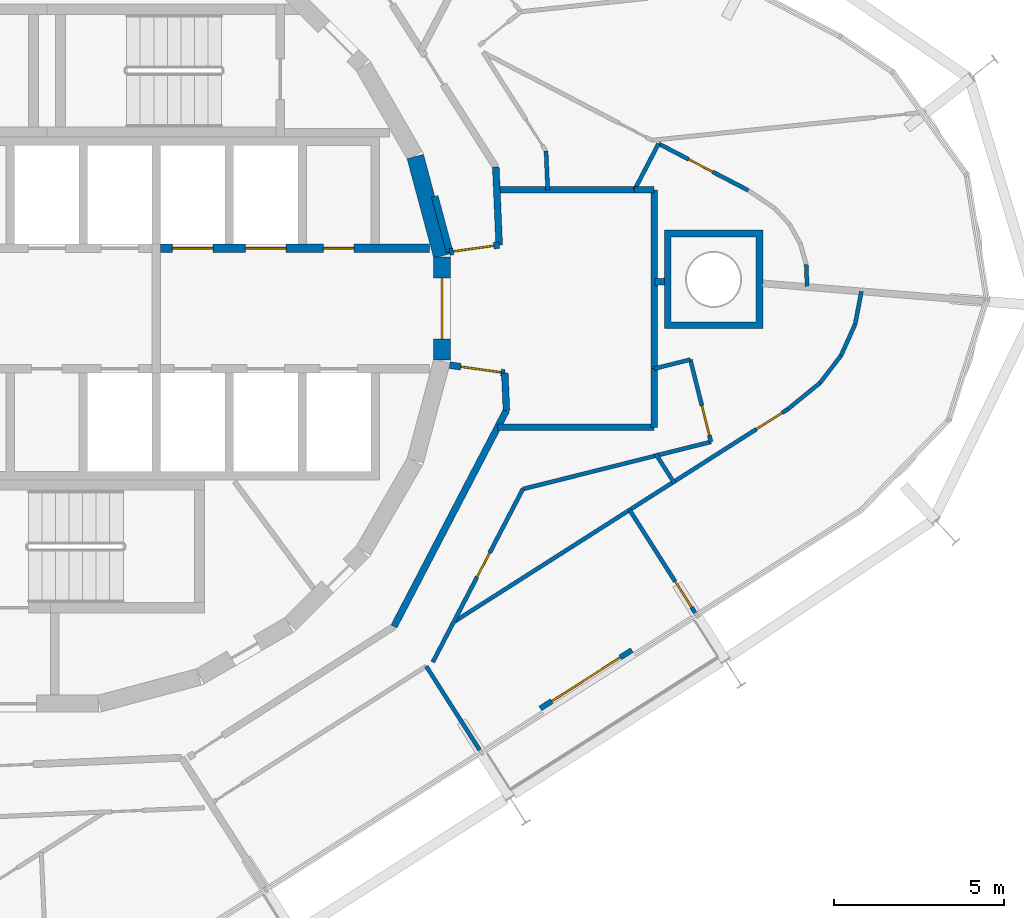
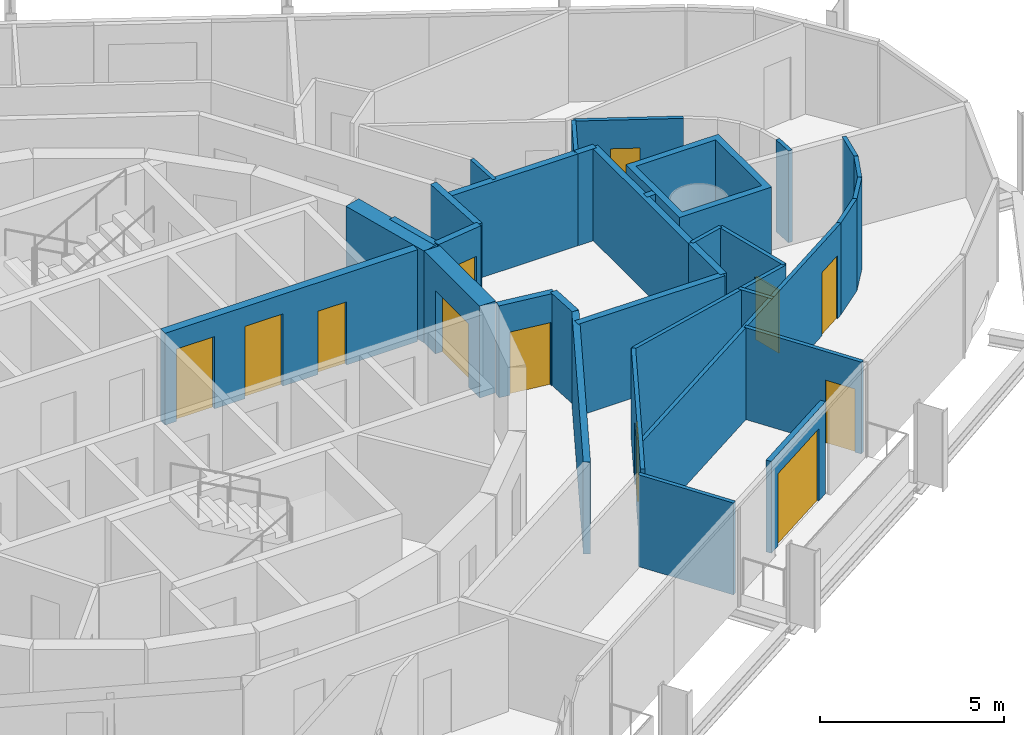
# One storey, part 14 of 18: 33 walls, 12 doors, 12 openings.
"""IFC4 building model written with IfcOpenShell, lengths in metres."""

from ifc_helpers import new_model, si_unit, direction, frame, frame_2d, origin, place, context, subcontext, project, spatial, polyline, rectangle, outline, extrude, material, layer, layer_set, type_object, element, fill, save


model = new_model("IFC4")

# Units and contexts
model_context = context("Model", 3, precision=1e-05, world=origin(), true_north=direction((0.0, 1.0)))
body_context = subcontext(model_context, "Body", "Model", "MODEL_VIEW")
ifc_project = project(units=[si_unit("LENGTHUNIT", "METRE"), si_unit("AREAUNIT", "SQUARE_METRE"), si_unit("VOLUMEUNIT", "CUBIC_METRE"), si_unit("PLANEANGLEUNIT", "RADIAN"), si_unit("MASSUNIT", "GRAM", prefix="KILO")], contexts=[model_context])

# Site, building, storey
site_placement = place(None, origin())
site = spatial("IfcSite", under=ifc_project, at=site_placement, CompositionType="ELEMENT")
building_placement = place(site_placement, origin())
building = spatial("IfcBuilding", under=site, at=building_placement, Name="Spindle Arch Residences", CompositionType="ELEMENT")
storey_placement = place(building_placement, frame((0.0, 0.0, 254.699951171875)))
storey = spatial("IfcBuildingStorey", under=building, at=storey_placement, Name="L65", CompositionType="ELEMENT", Elevation=254.699951171875)

# Wall, opening, door
ifc_material_1 = material(Name="Concrete C50/60", Category="concrete")
ifc_layer_1 = layer(ifc_material_1, 0.5)
ifc_layer_set_1 = layer_set([ifc_layer_1], Name="Core outline wall 500")
wall_type_1 = type_object("IfcWallType", Name="Core outline wall 500", PredefinedType="SHEAR", material=ifc_layer_set_1)
wall_1_placement = place(storey_placement, frame((11.647216796875, -1.516357421875, 0.0), z_axis=(0.0, 0.0, 1.0), x_axis=(0.0, 1.0, 0.0)))
wall_1 = element("IfcWall", 1, at=wall_1_placement, inside=storey, type_object=wall_type_1, Name="Core outline wall 6", PredefinedType="SHEAR", context=body_context, shape_type="SweptSolid", body=[
    extrude(rectangle(XDim=3.03271484375, YDim=0.5, at=frame_2d((1.516357421875, 0.0))), origin(), (0.0, 0.0, 1.0), 3.050048828125),
])
opening_1_placement = place(wall_1_placement, frame((0.6162109375, 0.0, 0.0)))
opening_1 = element("IfcOpeningElement", 2, at=opening_1_placement, cuts=wall_1, Name="Opening R6C0-FE01", PredefinedType="OPENING", context=body_context, shape_type="SweptSolid", body=[
    extrude(rectangle(XDim=1.800048828125, YDim=2.10009765625, at=frame_2d((0.89990234375, 1.050048828125))), frame((0.0, 0.260009765625, 0.0), z_axis=(0.0, -1.0, 0.0), x_axis=(1.0, 0.0, 0.0)), (0.0, 0.0, 1.0), 0.52001953125),
])
ifc_material_2 = material(Name="Steel, fire-resisting door", Category="steel")
door_type_1 = type_object("IfcDoorType", Name="Fire-lift lobby door 1800x2100", OperationType="DOUBLE_DOOR_SINGLE_SWING", PredefinedType="DOOR", material=ifc_material_2)
door_1_placement = place(opening_1_placement, origin())
door_1 = element("IfcDoor", 3, at=door_1_placement, inside=storey, type_object=door_type_1, Name="Fire-lift lobby door R6C0-FE01", OperationType="DOUBLE_DOOR_SINGLE_SWING", OverallHeight=2.10009765625, OverallWidth=1.800048828125, PredefinedType="DOOR", context=body_context, shape_type="SweptSolid", body=[
    extrude(rectangle(XDim=1.800048828125, YDim=2.10009765625, at=frame_2d((0.89990234375, 1.050048828125))), frame((0.0, 0.02490234375, 0.0), z_axis=(0.0, -1.0, 0.0), x_axis=(1.0, 0.0, 0.0)), (0.0, 0.0, 1.0), 0.050048828125),
])
fill(opening_1, door_1)

# Walls
wall_2_placement = place(storey_placement, frame((11.642822265625, 1.5498046875, 0.0), z_axis=(0.0, 0.0, 1.0), x_axis=(-0.258734743916, 0.965948410781, 0.0)))
element("IfcWall", 4, at=wall_2_placement, inside=storey, type_object=wall_type_1, Name="Core outline wall 7", PredefinedType="SHEAR", context=body_context, shape_type="SweptSolid", body=[
    extrude(rectangle(XDim=3.03271484375, YDim=0.5, at=frame_2d((1.516357421875, 0.0))), origin(), (0.0, 0.0, 1.0), 3.050048828125),
])
ifc_material_3 = material(Name="Calcium silicate block, plastered")
ifc_layer_2 = layer(ifc_material_3, 0.199951171875)
ifc_layer_set_2 = layer_set([ifc_layer_2], Name="Fire-lift lobby bay wall 200")
wall_type_2 = type_object("IfcWallType", Name="Fire-lift lobby bay wall 200", PredefinedType="STANDARD", material=ifc_layer_set_2)
wall_3_placement = place(storey_placement, frame((11.8701171875, 1.668212890625, 0.0), z_axis=(0.0, 0.0, 1.0), x_axis=(-0.258836880648, 0.965921047093, 0.0)))
element("IfcWall", 5, at=wall_3_placement, inside=storey, type_object=wall_type_2, Name="Fire-lift lobby bay wall R6C0-W001", PredefinedType="STANDARD", context=body_context, shape_type="SweptSolid", body=[
    extrude(rectangle(XDim=1.695068359375, YDim=0.199951171875, at=frame_2d((0.84765625, 0.0))), origin(), (0.0, 0.0, 1.0), 3.050048828125),
])

# Wall, opening, door
wall_4_placement = place(storey_placement, frame((11.8701171875, 1.668212890625, 0.0), z_axis=(0.0, 0.0, 1.0), x_axis=(0.990267985606, 0.139173692496, 0.0)))
wall_4 = element("IfcWall", 6, at=wall_4_placement, inside=storey, type_object=wall_type_2, Name="Fire-lift lobby bay wall R6C0-W002", PredefinedType="STANDARD", context=body_context, shape_type="SweptSolid", body=[
    extrude(rectangle(XDim=1.475341796875, YDim=0.199951171875, at=frame_2d((0.73779296875, 0.0))), origin(), (0.0, 0.0, 1.0), 3.050048828125),
])
opening_2_placement = place(wall_4_placement, frame((0.110107421875, 0.0, 0.0)))
opening_2 = element("IfcOpeningElement", 7, at=opening_2_placement, cuts=wall_4, Name="Opening R6C0-CD01", PredefinedType="OPENING", context=body_context, shape_type="SweptSolid", body=[
    extrude(rectangle(XDim=1.199951171875, YDim=2.10009765625, at=frame_2d((0.60009765625, 1.050048828125))), frame((0.0, 0.10986328125, 0.0), z_axis=(0.0, -1.0, 0.0), x_axis=(1.0, 0.0, 0.0)), (0.0, 0.0, 1.0), 0.219970703125),
])
ifc_material_4 = material(Name="Steel, fire-resisting door", Category="steel")
door_type_2 = type_object("IfcDoorType", Name="Corridor division door 1200x2100", OperationType="NOTDEFINED", PredefinedType="DOOR", material=ifc_material_4)
door_2_placement = place(opening_2_placement, origin())
door_2 = element("IfcDoor", 8, at=door_2_placement, inside=storey, type_object=door_type_2, Name="Corridor division door R6C0-CD01", OperationType="DOUBLE_DOOR_SINGLE_SWING", OverallHeight=2.10009765625, OverallWidth=1.199951171875, PredefinedType="DOOR", context=body_context, shape_type="SweptSolid", body=[
    extrude(rectangle(XDim=1.199951171875, YDim=2.10009765625, at=frame_2d((0.60009765625, 1.050048828125))), frame((0.0, 0.02490234375, 0.0), z_axis=(0.0, -1.0, 0.0), x_axis=(1.0, 0.0, 0.0)), (0.0, 0.0, 1.0), 0.050048828125),
])
fill(opening_2, door_2)

# Walls
wall_5_placement = place(storey_placement, frame((13.3310546875, 1.87353515625, 0.0), z_axis=(0.0, 0.0, 1.0), x_axis=(-0.043621457762, 0.999048131184, 0.0)))
element("IfcWall", 9, at=wall_5_placement, inside=storey, type_object=wall_type_2, Name="Fire-lift lobby bay wall R6C0-W003", PredefinedType="STANDARD", context=body_context, shape_type="SweptSolid", body=[
    extrude(rectangle(XDim=2.30029296875, YDim=0.199951171875, at=frame_2d((1.150146484375, 0.0))), origin(), (0.0, 0.0, 1.0), 3.050048828125),
])
wall_6_placement = place(storey_placement, frame((10.22802734375, -9.372314453125, 0.0), z_axis=(0.0, 0.0, 1.0), x_axis=(0.461759464021, 0.887005184532, 0.0)))
element("IfcWall", 10, at=wall_6_placement, inside=storey, type_object=wall_type_2, Name="Fire-lift lobby bay wall R6C0-W013", PredefinedType="STANDARD", context=body_context, shape_type="SweptSolid", body=[
    extrude(rectangle(XDim=7.18115234375, YDim=0.199951171875, at=frame_2d((3.590576171875, 0.0))), origin(), (0.0, 0.0, 1.0), 3.050048828125),
])
wall_7_placement = place(storey_placement, frame((13.5439453125, -3.002685546875, 0.0), z_axis=(0.0, 0.0, 1.0), x_axis=(-0.043666917606, 0.999046145234, 0.0)))
element("IfcWall", 11, at=wall_7_placement, inside=storey, type_object=wall_type_2, Name="Fire-lift lobby bay wall R6C0-W014", PredefinedType="STANDARD", context=body_context, shape_type="SweptSolid", body=[
    extrude(rectangle(XDim=1.10693359375, YDim=0.199951171875, at=frame_2d((0.553466796875, 0.0))), origin(), (0.0, 0.0, 1.0), 3.050048828125),
])

# Wall, opening, door
wall_8_placement = place(storey_placement, frame((13.49560546875, -1.896728515625, 0.0), z_axis=(0.0, 0.0, 1.0), x_axis=(-0.99026234641, 0.139213811391, 0.0)))
wall_8 = element("IfcWall", 12, at=wall_8_placement, inside=storey, type_object=wall_type_2, Name="Fire-lift lobby bay wall R6C0-W015", PredefinedType="STANDARD", context=body_context, shape_type="SweptSolid", body=[
    extrude(rectangle(XDim=1.641357421875, YDim=0.199951171875, at=frame_2d((0.82080078125, 0.0))), origin(), (0.0, 0.0, 1.0), 3.050048828125),
])
opening_3_placement = place(wall_8_placement, frame((0.110107421875, 0.0, 0.0)))
opening_3 = element("IfcOpeningElement", 13, at=opening_3_placement, cuts=wall_8, Name="Opening R6C0-CD02", PredefinedType="OPENING", context=body_context, shape_type="SweptSolid", body=[
    extrude(rectangle(XDim=1.199951171875, YDim=2.10009765625, at=frame_2d((0.60009765625, 1.050048828125))), frame((0.0, 0.10986328125, 0.0), z_axis=(0.0, -1.0, 0.0), x_axis=(1.0, 0.0, 0.0)), (0.0, 0.0, 1.0), 0.219970703125),
])
door_3_placement = place(opening_3_placement, origin())
door_3 = element("IfcDoor", 14, at=door_3_placement, inside=storey, type_object=door_type_2, Name="Corridor division door R6C0-CD02", OperationType="DOUBLE_DOOR_SINGLE_SWING", OverallHeight=2.10009765625, OverallWidth=1.199951171875, PredefinedType="DOOR", context=body_context, shape_type="SweptSolid", body=[
    extrude(rectangle(XDim=1.199951171875, YDim=2.10009765625, at=frame_2d((0.60009765625, 1.050048828125))), frame((0.0, 0.02490234375, 0.0), z_axis=(0.0, -1.0, 0.0), x_axis=(1.0, 0.0, 0.0)), (0.0, 0.0, 1.0), 0.050048828125),
])
fill(opening_3, door_3)

# Walls
wall_9_placement = place(storey_placement, frame((17.32080078125, 3.5, 0.0), z_axis=(0.0, 0.0, 1.0), x_axis=(-1.0, 0.0, 0.0)))
element("IfcWall", 15, at=wall_9_placement, inside=storey, type_object=wall_type_2, Name="Fire-lift lobby bay wall R6C0-W025", PredefinedType="STANDARD", context=body_context, shape_type="SweptSolid", body=[
    extrude(rectangle(XDim=4.060791015625, YDim=0.199951171875, at=frame_2d((2.0302734375, 0.0))), origin(), (0.0, 0.0, 1.0), 3.050048828125),
])
wall_10_placement = place(storey_placement, frame((17.89990234375, -1.77197265625, 0.0), z_axis=(0.0, 0.0, 1.0), x_axis=(0.0, 1.0, 0.0)))
element("IfcWall", 16, at=wall_10_placement, inside=storey, type_object=wall_type_2, Name="Fire-lift lobby bay wall R6C0-W026", PredefinedType="STANDARD", context=body_context, shape_type="SweptSolid", body=[
    extrude(rectangle(XDim=5.27197265625, YDim=0.199951171875, at=frame_2d((2.635986328125, 0.0))), origin(), (0.0, 0.0, 1.0), 3.050048828125),
])
wall_11_placement = place(storey_placement, frame((17.89990234375, 3.5, 0.0), z_axis=(0.0, 0.0, 1.0), x_axis=(-1.0, 0.0, 0.0)))
element("IfcWall", 17, at=wall_11_placement, inside=storey, type_object=wall_type_2, Name="Fire-lift lobby bay wall R6C0-W027", PredefinedType="STANDARD", context=body_context, shape_type="SweptSolid", body=[
    extrude(rectangle(XDim=0.5791015625, YDim=0.199951171875, at=frame_2d((0.28955078125, 0.0))), origin(), (0.0, 0.0, 1.0), 3.050048828125),
])
wall_12_placement = place(storey_placement, frame((13.284912109375, -3.5, 0.0), z_axis=(0.0, 0.0, 1.0), x_axis=(1.0, 0.0, 0.0)))
element("IfcWall", 18, at=wall_12_placement, inside=storey, type_object=wall_type_2, Name="Fire-lift lobby bay wall R6C0-W028", PredefinedType="STANDARD", context=body_context, shape_type="SweptSolid", body=[
    extrude(rectangle(XDim=4.614990234375, YDim=0.199951171875, at=frame_2d((2.3076171875, 0.0))), origin(), (0.0, 0.0, 1.0), 3.050048828125),
])
wall_13_placement = place(storey_placement, frame((17.89990234375, -3.5, 0.0), z_axis=(0.0, 0.0, 1.0), x_axis=(0.0, 1.0, 0.0)))
element("IfcWall", 19, at=wall_13_placement, inside=storey, type_object=wall_type_2, Name="Fire-lift lobby bay wall R6C0-W029", PredefinedType="STANDARD", context=body_context, shape_type="SweptSolid", body=[
    extrude(rectangle(XDim=1.72802734375, YDim=0.199951171875, at=frame_2d((0.864013671875, 0.0))), origin(), (0.0, 0.0, 1.0), 3.050048828125),
])

# Wall, openings, doors
ifc_material_5 = material(Name="Concrete C40/50", Category="concrete")
ifc_layer_3 = layer(ifc_material_5, 0.25)
ifc_layer_set_3 = layer_set([ifc_layer_3], Name="Fire-lift lobby wall 250")
wall_type_3 = type_object("IfcWallType", Name="Fire-lift lobby wall 250", PredefinedType="SHEAR", material=ifc_layer_set_3)
wall_14_placement = place(storey_placement, frame((3.35009765625, 1.77490234375, 0.0), z_axis=(0.0, 0.0, 1.0), x_axis=(1.0, 0.0, 0.0)))
wall_14 = element("IfcWall", 20, at=wall_14_placement, inside=storey, type_object=wall_type_3, Name="Lift shaft front wall NE", PredefinedType="SHEAR", context=body_context, shape_type="SweptSolid", body=[
    extrude(rectangle(XDim=7.929931640625, YDim=0.25, at=frame_2d((3.96484375, 0.0))), origin(), (0.0, 0.0, 1.0), 3.050048828125),
])
opening_4_placement = place(wall_14_placement, frame((0.35009765625, 0.0, 0.0)))
opening_4 = element("IfcOpeningElement", 21, at=opening_4_placement, cuts=wall_14, Name="Opening R6C0-SLD01", PredefinedType="OPENING", context=body_context, shape_type="SweptSolid", body=[
    extrude(rectangle(XDim=1.199951171875, YDim=2.39990234375, at=frame_2d((0.60009765625, 1.199951171875))), frame((0.0, 0.135009765625, 0.0), z_axis=(0.0, -1.0, 0.0), x_axis=(1.0, 0.0, 0.0)), (0.0, 0.0, 1.0), 0.27001953125),
])
opening_5_placement = place(wall_14_placement, frame((2.5, 0.0, 0.0)))
opening_5 = element("IfcOpeningElement", 22, at=opening_5_placement, cuts=wall_14, Name="Opening R6C0-SLD02", PredefinedType="OPENING", context=body_context, shape_type="SweptSolid", body=[
    extrude(rectangle(XDim=1.199951171875, YDim=2.39990234375, at=frame_2d((0.60009765625, 1.199951171875))), frame((0.0, 0.135009765625, 0.0), z_axis=(0.0, -1.0, 0.0), x_axis=(1.0, 0.0, 0.0)), (0.0, 0.0, 1.0), 0.27001953125),
])
opening_6_placement = place(wall_14_placement, frame((4.800048828125, 0.0, 0.0)))
opening_6 = element("IfcOpeningElement", 23, at=opening_6_placement, cuts=wall_14, Name="Opening R6C0-WD02", PredefinedType="OPENING", context=body_context, shape_type="SweptSolid", body=[
    extrude(rectangle(XDim=0.89990234375, YDim=2.10009765625, at=frame_2d((0.449951171875, 1.050048828125))), frame((0.0, 0.135009765625, 0.0), z_axis=(0.0, -1.0, 0.0), x_axis=(1.0, 0.0, 0.0)), (0.0, 0.0, 1.0), 0.27001953125),
])
ifc_material_6 = material(Name="Steel, fire-resisting landing door", Category="steel")
door_type_3 = type_object("IfcDoorType", Name="Service lift landing door 1200x2400", OperationType="DOUBLE_DOOR_SLIDING", PredefinedType="DOOR", material=ifc_material_6)
door_4_placement = place(opening_4_placement, origin())
door_4 = element("IfcDoor", 24, at=door_4_placement, inside=storey, type_object=door_type_3, Name="Service lift landing door R6C0-SLD01", OperationType="DOUBLE_DOOR_SLIDING", OverallHeight=2.39990234375, OverallWidth=1.199951171875, PredefinedType="DOOR", context=body_context, shape_type="SweptSolid", body=[
    extrude(rectangle(XDim=1.199951171875, YDim=2.39990234375, at=frame_2d((0.60009765625, 1.199951171875))), frame((0.0, 0.02490234375, 0.0), z_axis=(0.0, -1.0, 0.0), x_axis=(1.0, 0.0, 0.0)), (0.0, 0.0, 1.0), 0.050048828125),
])
fill(opening_4, door_4)
door_5_placement = place(opening_5_placement, origin())
door_5 = element("IfcDoor", 25, at=door_5_placement, inside=storey, type_object=door_type_3, Name="Service lift landing door R6C0-SLD02", OperationType="DOUBLE_DOOR_SLIDING", OverallHeight=2.39990234375, OverallWidth=1.199951171875, PredefinedType="DOOR", context=body_context, shape_type="SweptSolid", body=[
    extrude(rectangle(XDim=1.199951171875, YDim=2.39990234375, at=frame_2d((0.60009765625, 1.199951171875))), frame((0.0, 0.02490234375, 0.0), z_axis=(0.0, -1.0, 0.0), x_axis=(1.0, 0.0, 0.0)), (0.0, 0.0, 1.0), 0.050048828125),
])
fill(opening_5, door_5)
ifc_material_7 = material(Name="Steel, fire-resisting door", Category="steel")
door_type_4 = type_object("IfcDoorType", Name="Service room door 900x2100", OperationType="SINGLE_SWING_LEFT", PredefinedType="DOOR", material=ifc_material_7)
door_6_placement = place(opening_6_placement, origin())
door_6 = element("IfcDoor", 26, at=door_6_placement, inside=storey, type_object=door_type_4, Name="Service room door R6C0-WD02", OperationType="SINGLE_SWING_RIGHT", OverallHeight=2.10009765625, OverallWidth=0.89990234375, PredefinedType="DOOR", context=body_context, shape_type="SweptSolid", body=[
    extrude(rectangle(XDim=0.89990234375, YDim=2.10009765625, at=frame_2d((0.449951171875, 1.050048828125))), frame((0.0, 0.02490234375, 0.0), z_axis=(0.0, -1.0, 0.0), x_axis=(1.0, 0.0, 0.0)), (0.0, 0.0, 1.0), 0.050048828125),
])
fill(opening_6, door_6)

# Wall
ifc_material_8 = material(Name="Plasterboard on steel studs", Category="steel")
ifc_layer_4 = layer(ifc_material_8, 0.1201171875)
ifc_layer_set_4 = layer_set([ifc_layer_4], Name="Flat partition 120")
wall_type_4 = type_object("IfcWallType", Name="Flat partition 120", PredefinedType="PARTITIONING", material=ifc_layer_set_4)
wall_15_placement = place(storey_placement, frame((14.761474609375, 3.5, 0.0), z_axis=(0.0, 0.0, 1.0), x_axis=(-0.04369750018, 0.999044808043, 0.0)))
element("IfcWall", 27, at=wall_15_placement, inside=storey, type_object=wall_type_4, Name="Flat partition R6C0-W042", PredefinedType="PARTITIONING", context=body_context, shape_type="SweptSolid", body=[
    extrude(rectangle(XDim=1.1396484375, YDim=0.1201171875, at=frame_2d((0.56982421875, 0.0))), origin(), (0.0, 0.0, 1.0), 3.050048828125),
])

# Wall, opening, door
wall_16_placement = place(storey_placement, frame((18.028076171875, 4.85888671875, 0.0), z_axis=(0.0, 0.0, 1.0), x_axis=(0.88702512027, -0.46172116695, 0.0)))
wall_16 = element("IfcWall", 28, at=wall_16_placement, inside=storey, type_object=wall_type_4, Name="Flat partition R6C0-W047", PredefinedType="PARTITIONING", context=body_context, shape_type="SweptSolid", body=[
    extrude(rectangle(XDim=2.983154296875, YDim=0.1201171875, at=frame_2d((1.49169921875, 0.0))), origin(), (0.0, 0.0, 1.0), 3.050048828125),
])
opening_7_placement = place(wall_16_placement, frame((1.0, 0.0, 0.0)))
opening_7 = element("IfcOpeningElement", 29, at=opening_7_placement, cuts=wall_16, Name="Opening R6C0-BD01", PredefinedType="OPENING", context=body_context, shape_type="SweptSolid", body=[
    extrude(rectangle(XDim=0.800048828125, YDim=2.10009765625, at=frame_2d((0.39990234375, 1.050048828125))), frame((0.0, 0.070068359375, 0.0), z_axis=(0.0, -1.0, 0.0), x_axis=(1.0, 0.0, 0.0)), (0.0, 0.0, 1.0), 0.14013671875),
])
ifc_material_9 = material(Name="Timber door set", Category="wood")
door_type_5 = type_object("IfcDoorType", Name="Bathroom door 800x2100", OperationType="NOTDEFINED", PredefinedType="DOOR", material=ifc_material_9)
door_7_placement = place(opening_7_placement, origin())
door_7 = element("IfcDoor", 30, at=door_7_placement, inside=storey, type_object=door_type_5, Name="Bathroom door R6C0-BD01", OperationType="SINGLE_SWING_RIGHT", OverallHeight=2.10009765625, OverallWidth=0.800048828125, PredefinedType="DOOR", context=body_context, shape_type="SweptSolid", body=[
    extrude(rectangle(XDim=0.800048828125, YDim=2.10009765625, at=frame_2d((0.39990234375, 1.050048828125))), frame((0.0, 0.02490234375, 0.0), z_axis=(0.0, -1.0, 0.0), x_axis=(1.0, 0.0, 0.0)), (0.0, 0.0, 1.0), 0.050048828125),
])
fill(opening_7, door_7)

# Walls
wall_17_placement = place(storey_placement, frame((22.37939453125, 1.29833984375, 0.0), z_axis=(0.0, 0.0, 1.0), x_axis=(0.043354705242, -0.999059742725, 0.0)))
element("IfcWall", 31, at=wall_17_placement, inside=storey, type_object=wall_type_4, Name="Flat partition R6C0-W052", PredefinedType="PARTITIONING", context=body_context, shape_type="SweptSolid", body=[
    extrude(rectangle(XDim=0.641845703125, YDim=0.1201171875, at=frame_2d((0.32080078125, 0.0))), origin(), (0.0, 0.0, 1.0), 3.050048828125),
])
wall_18_placement = place(storey_placement, frame((18.028076171875, 4.85888671875, 0.0), z_axis=(0.0, 0.0, 1.0), x_axis=(-0.461688901614, -0.887041914526, 0.0)))
element("IfcWall", 32, at=wall_18_placement, inside=storey, type_object=wall_type_4, Name="Flat partition R6C0-W054", PredefinedType="PARTITIONING", context=body_context, shape_type="SweptSolid", body=[
    extrude(rectangle(XDim=1.531982421875, YDim=0.1201171875, at=frame_2d((0.76611328125, 0.0))), origin(), (0.0, 0.0, 1.0), 3.050048828125),
])

# Wall, opening, door
wall_19_placement = place(storey_placement, frame((11.373046875, -10.42138671875, 0.0), z_axis=(0.0, 0.0, 1.0), x_axis=(0.461738939635, 0.887015868869, 0.0)))
wall_19 = element("IfcWall", 33, at=wall_19_placement, inside=storey, type_object=wall_type_4, Name="Flat partition R6C0-W109", PredefinedType="PARTITIONING", context=body_context, shape_type="SweptSolid", body=[
    extrude(rectangle(XDim=5.751708984375, YDim=0.1201171875, at=frame_2d((2.8759765625, 0.0))), origin(), (0.0, 0.0, 1.0), 3.050048828125),
])
opening_8_placement = place(wall_19_placement, frame((2.831298828125, 0.0, 0.0)))
opening_8 = element("IfcOpeningElement", 34, at=opening_8_placement, cuts=wall_19, Name="Opening R6C0-BD06", PredefinedType="OPENING", context=body_context, shape_type="SweptSolid", body=[
    extrude(rectangle(XDim=0.800048828125, YDim=2.10009765625, at=frame_2d((0.39990234375, 1.050048828125))), frame((0.0, 0.070068359375, 0.0), z_axis=(0.0, -1.0, 0.0), x_axis=(1.0, 0.0, 0.0)), (0.0, 0.0, 1.0), 0.14013671875),
])
door_8_placement = place(opening_8_placement, origin())
door_8 = element("IfcDoor", 35, at=door_8_placement, inside=storey, type_object=door_type_5, Name="Bathroom door R6C0-BD06", OperationType="SINGLE_SWING_RIGHT", OverallHeight=2.10009765625, OverallWidth=0.800048828125, PredefinedType="DOOR", context=body_context, shape_type="SweptSolid", body=[
    extrude(rectangle(XDim=0.800048828125, YDim=2.10009765625, at=frame_2d((0.39990234375, 1.050048828125))), frame((0.0, 0.02490234375, 0.0), z_axis=(0.0, -1.0, 0.0), x_axis=(1.0, 0.0, 0.0)), (0.0, 0.0, 1.0), 0.050048828125),
])
fill(opening_8, door_8)

# Wall
wall_20_placement = place(storey_placement, frame((14.02880859375, -5.319580078125, 0.0), z_axis=(0.0, 0.0, 1.0), x_axis=(0.969999099814, 0.243108507378, 0.0)))
element("IfcWall", 36, at=wall_20_placement, inside=storey, type_object=wall_type_4, Name="Flat partition R6C0-W110", PredefinedType="PARTITIONING", context=body_context, shape_type="SweptSolid", body=[
    extrude(rectangle(XDim=5.715087890625, YDim=0.1201171875, at=frame_2d((2.857421875, 0.0))), origin(), (0.0, 0.0, 1.0), 3.050048828125),
])

# Wall, opening, door
wall_21_placement = place(storey_placement, frame((19.572509765625, -3.93017578125, 0.0), z_axis=(0.0, 0.0, 1.0), x_axis=(-0.243155959183, 0.96998720585, 0.0)))
wall_21 = element("IfcWall", 37, at=wall_21_placement, inside=storey, type_object=wall_type_4, Name="Flat partition R6C0-W111", PredefinedType="PARTITIONING", context=body_context, shape_type="SweptSolid", body=[
    extrude(rectangle(XDim=2.5, YDim=0.1201171875, at=frame_2d((1.25, 0.0))), origin(), (0.0, 0.0, 1.0), 3.050048828125),
])
opening_9_placement = place(wall_21_placement, frame((0.199951171875, 0.0, 0.0)))
opening_9 = element("IfcOpeningElement", 38, at=opening_9_placement, cuts=wall_21, Name="Opening R6C0-ID26", PredefinedType="OPENING", context=body_context, shape_type="SweptSolid", body=[
    extrude(rectangle(XDim=0.89990234375, YDim=2.10009765625, at=frame_2d((0.449951171875, 1.050048828125))), frame((0.0, 0.070068359375, 0.0), z_axis=(0.0, -1.0, 0.0), x_axis=(1.0, 0.0, 0.0)), (0.0, 0.0, 1.0), 0.14013671875),
])
ifc_material_10 = material(Name="Timber door set", Category="wood")
door_type_6 = type_object("IfcDoorType", Name="Room door 900x2100", OperationType="NOTDEFINED", PredefinedType="DOOR", material=ifc_material_10)
door_9_placement = place(opening_9_placement, origin())
door_9 = element("IfcDoor", 39, at=door_9_placement, inside=storey, type_object=door_type_6, Name="Room door R6C0-ID26", OperationType="SINGLE_SWING_RIGHT", OverallHeight=2.10009765625, OverallWidth=0.89990234375, PredefinedType="DOOR", context=body_context, shape_type="SweptSolid", body=[
    extrude(rectangle(XDim=0.89990234375, YDim=2.10009765625, at=frame_2d((0.449951171875, 1.050048828125))), frame((0.0, 0.02490234375, 0.0), z_axis=(0.0, -1.0, 0.0), x_axis=(1.0, 0.0, 0.0)), (0.0, 0.0, 1.0), 0.050048828125),
])
fill(opening_9, door_9)

# Walls
wall_22_placement = place(storey_placement, frame((18.964599609375, -1.505126953125, 0.0), z_axis=(0.0, 0.0, 1.0), x_axis=(-0.969998406835, -0.243111272339, 0.0)))
element("IfcWall", 40, at=wall_22_placement, inside=storey, type_object=wall_type_4, Name="Flat partition R6C0-W112", PredefinedType="PARTITIONING", context=body_context, shape_type="SweptSolid", body=[
    extrude(rectangle(XDim=1.09765625, YDim=0.1201171875, at=frame_2d((0.548828125, 0.0))), origin(), (0.0, 0.0, 1.0), 3.050048828125),
])
wall_23_placement = place(storey_placement, frame((12.7578125, -13.018310546875, 0.0), z_axis=(0.0, 0.0, 1.0), x_axis=(-0.537338423153, 0.843366716798, 0.0)))
element("IfcWall", 41, at=wall_23_placement, inside=storey, type_object=wall_type_4, Name="Flat partition R6C0-W113", PredefinedType="PARTITIONING", context=body_context, shape_type="SweptSolid", body=[
    extrude(rectangle(XDim=2.93408203125, YDim=0.1201171875, at=frame_2d((1.467041015625, 0.0))), origin(), (0.0, 0.0, 1.0), 3.050048828125),
])

# Wall, opening, door
wall_24_placement = place(storey_placement, frame((21.837158203125, -2.9658203125, 0.0), z_axis=(0.0, 0.0, 1.0), x_axis=(-0.843394529709, -0.537294767569, 0.0)))
wall_24 = element("IfcWall", 42, at=wall_24_placement, inside=storey, type_object=wall_type_4, Name="Flat partition R6C0-W114", PredefinedType="PARTITIONING", context=body_context, shape_type="SweptSolid", body=[
    extrude(rectangle(XDim=11.67822265625, YDim=0.1201171875, at=frame_2d((5.839111328125, 0.0))), origin(), (0.0, 0.0, 1.0), 3.050048828125),
])
opening_10_placement = place(wall_24_placement, frame((0.199951171875, 0.0, 0.0)))
opening_10 = element("IfcOpeningElement", 43, at=opening_10_placement, cuts=wall_24, Name="Opening R6C0-ID27", PredefinedType="OPENING", context=body_context, shape_type="SweptSolid", body=[
    extrude(rectangle(XDim=0.89990234375, YDim=2.10009765625, at=frame_2d((0.449951171875, 1.050048828125))), frame((0.0, 0.070068359375, 0.0), z_axis=(0.0, -1.0, 0.0), x_axis=(1.0, 0.0, 0.0)), (0.0, 0.0, 1.0), 0.14013671875),
])
door_10_placement = place(opening_10_placement, origin())
door_10 = element("IfcDoor", 44, at=door_10_placement, inside=storey, type_object=door_type_6, Name="Room door R6C0-ID27", OperationType="SINGLE_SWING_RIGHT", OverallHeight=2.10009765625, OverallWidth=0.89990234375, PredefinedType="DOOR", context=body_context, shape_type="SweptSolid", body=[
    extrude(rectangle(XDim=0.89990234375, YDim=2.10009765625, at=frame_2d((0.449951171875, 1.050048828125))), frame((0.0, 0.02490234375, 0.0), z_axis=(0.0, -1.0, 0.0), x_axis=(1.0, 0.0, 0.0)), (0.0, 0.0, 1.0), 0.050048828125),
])
fill(opening_10, door_10)

wall_25_placement = place(storey_placement, frame((19.108642578125, -8.972412109375, 0.0), z_axis=(0.0, 0.0, 1.0), x_axis=(-0.537318625891, 0.843379329999, 0.0)))
wall_25 = element("IfcWall", 45, at=wall_25_placement, inside=storey, type_object=wall_type_4, Name="Flat partition R6C0-W115", PredefinedType="PARTITIONING", context=body_context, shape_type="SweptSolid", body=[
    extrude(rectangle(XDim=3.599853515625, YDim=0.1201171875, at=frame_2d((1.7998046875, 0.0))), origin(), (0.0, 0.0, 1.0), 3.050048828125),
])
opening_11_placement = place(wall_25_placement, frame((0.199951171875, 0.0, 0.0)))
opening_11 = element("IfcOpeningElement", 46, at=opening_11_placement, cuts=wall_25, Name="Opening R6C0-ID28", PredefinedType="OPENING", context=body_context, shape_type="SweptSolid", body=[
    extrude(rectangle(XDim=0.89990234375, YDim=2.10009765625, at=frame_2d((0.449951171875, 1.050048828125))), frame((0.0, 0.070068359375, 0.0), z_axis=(0.0, -1.0, 0.0), x_axis=(1.0, 0.0, 0.0)), (0.0, 0.0, 1.0), 0.14013671875),
])
door_11_placement = place(opening_11_placement, origin())
door_11 = element("IfcDoor", 47, at=door_11_placement, inside=storey, type_object=door_type_6, Name="Room door R6C0-ID28", OperationType="SINGLE_SWING_LEFT", OverallHeight=2.10009765625, OverallWidth=0.89990234375, PredefinedType="DOOR", context=body_context, shape_type="SweptSolid", body=[
    extrude(rectangle(XDim=0.89990234375, YDim=2.10009765625, at=frame_2d((0.449951171875, 1.050048828125))), frame((0.0, 0.02490234375, 0.0), z_axis=(0.0, -1.0, 0.0), x_axis=(1.0, 0.0, 0.0)), (0.0, 0.0, 1.0), 0.050048828125),
])
fill(opening_11, door_11)

# Walls
wall_26_placement = place(storey_placement, frame((18.5029296875, -5.160888671875, 0.0), z_axis=(0.0, 0.0, 1.0), x_axis=(-0.537208231854, 0.843449652101, 0.0)))
element("IfcWall", 48, at=wall_26_placement, inside=storey, type_object=wall_type_4, Name="Flat partition R6C0-W116", PredefinedType="PARTITIONING", context=body_context, shape_type="SweptSolid", body=[
    extrude(rectangle(XDim=1.04443359375, YDim=0.1201171875, at=frame_2d((0.522216796875, 0.0))), origin(), (0.0, 0.0, 1.0), 3.050048828125),
])
wall_27_placement = place(storey_placement, frame((24.00732421875, 0.505859375, 0.0), z_axis=(0.0, 0.0, 1.0), x_axis=(-0.187878189528, -0.98219233651, 0.0)))
element("IfcWall", 49, at=wall_27_placement, inside=storey, type_object=wall_type_4, Name="Flat partition R6C0-W117", PredefinedType="PARTITIONING", context=body_context, shape_type="SweptSolid", body=[
    extrude(rectangle(XDim=0.981201171875, YDim=0.1201171875, at=frame_2d((0.49072265625, 0.0))), origin(), (0.0, 0.0, 1.0), 3.050048828125),
])
wall_28_placement = place(storey_placement, frame((23.822998046875, -0.457763671875, 0.0), z_axis=(0.0, 0.0, 1.0), x_axis=(-0.409435319137, -0.912339147161, 0.0)))
element("IfcWall", 50, at=wall_28_placement, inside=storey, type_object=wall_type_4, Name="Flat partition R6C0-W118", PredefinedType="PARTITIONING", context=body_context, shape_type="SweptSolid", body=[
    extrude(rectangle(XDim=1.01611328125, YDim=0.1201171875, at=frame_2d((0.508056640625, 0.0))), origin(), (0.0, 0.0, 1.0), 3.050048828125),
])
wall_29_placement = place(storey_placement, frame((23.406982421875, -1.384765625, 0.0), z_axis=(0.0, 0.0, 1.0), x_axis=(-0.608769538934, -0.793347117261, 0.0)))
element("IfcWall", 51, at=wall_29_placement, inside=storey, type_object=wall_type_4, Name="Flat partition R6C0-W119", PredefinedType="PARTITIONING", context=body_context, shape_type="SweptSolid", body=[
    extrude(rectangle(XDim=1.015869140625, YDim=0.1201171875, at=frame_2d((0.5078125, 0.0))), origin(), (0.0, 0.0, 1.0), 3.050048828125),
])
wall_30_placement = place(storey_placement, frame((22.78857421875, -2.190673828125, 0.0), z_axis=(0.0, 0.0, 1.0), x_axis=(-0.775267457727, -0.631633096813, 0.0)))
element("IfcWall", 52, at=wall_30_placement, inside=storey, type_object=wall_type_4, Name="Flat partition R6C0-W120", PredefinedType="PARTITIONING", context=body_context, shape_type="SweptSolid", body=[
    extrude(rectangle(XDim=1.227294921875, YDim=0.1201171875, at=frame_2d((0.61376953125, 0.0))), origin(), (0.0, 0.0, 1.0), 3.050048828125),
])
ifc_material_11 = material(Name="Calcium silicate block, plastered")
ifc_layer_5 = layer(ifc_material_11, 0.199951171875)
ifc_layer_set_5 = layer_set([ifc_layer_5], Name="Flat party wall 200")
wall_type_5 = type_object("IfcWallType", Name="Flat party wall 200", PredefinedType="STANDARD", material=ifc_layer_set_5)
wall_31_placement = place(storey_placement, frame((17.919921875, 0.782470703125, 0.0), z_axis=(0.0, 0.0, 1.0), x_axis=(0.999051221661, 0.04355061995, 0.0)))
element("IfcWall", 53, at=wall_31_placement, inside=storey, type_object=wall_type_5, Name="Flat party wall R6C0-W032", PredefinedType="STANDARD", context=body_context, shape_type="SweptSolid", body=[
    extrude(rectangle(XDim=0.2802734375, YDim=0.199951171875, at=frame_2d((0.14013671875, 0.0))), origin(), (0.0, 0.0, 1.0), 3.050048828125),
])

# Wall, opening, door
ifc_material_12 = material(Name="Non-combustible mineral wool insulated aluminium faced external wall (K0)", Category="aluminium")
ifc_layer_6 = layer(ifc_material_12, 0.159912109375)
ifc_layer_set_6 = layer_set([ifc_layer_6], Name="Insulated external wall panel 160")
wall_type_6 = type_object("IfcWallType", Name="Insulated external wall panel 160", PredefinedType="STANDARD", material=ifc_layer_set_6)
wall_32_placement = place(storey_placement, frame((14.540771484375, -11.78759765625, 0.0), z_axis=(0.0, 0.0, 1.0), x_axis=(0.843419508298, 0.53725555653, 0.0)))
wall_32 = element("IfcWall", 54, at=wall_32_placement, inside=storey, type_object=wall_type_6, Name="External wall L65 bay 1", PredefinedType="STANDARD", context=body_context, shape_type="SweptSolid", body=[
    extrude(rectangle(XDim=3.199951171875, YDim=0.159912109375, at=frame_2d((1.60009765625, 0.0))), origin(), (0.0, 0.0, 1.0), 3.050048828125),
])
opening_12_placement = place(wall_32_placement, frame((0.39990234375, 0.0, 0.0)))
opening_12 = element("IfcOpeningElement", 55, at=opening_12_placement, cuts=wall_32, Name="Opening BD01", PredefinedType="OPENING", context=body_context, shape_type="SweptSolid", body=[
    extrude(rectangle(XDim=2.39990234375, YDim=2.39990234375, at=frame_2d((1.199951171875, 1.199951171875))), frame((0.0, 0.08984375, 0.0), z_axis=(0.0, -1.0, 0.0), x_axis=(1.0, 0.0, 0.0)), (0.0, 0.0, 1.0), 0.179931640625),
])
ifc_material_13 = material(Name="Bronze aluminium frame, tinted double glazing", Category="aluminium")
door_type_7 = type_object("IfcDoorType", Name="Sliding glazed balcony door 2400x2400", OperationType="DOUBLE_DOOR_SLIDING", PredefinedType="DOOR", material=ifc_material_13)
door_12_placement = place(opening_12_placement, origin())
door_12 = element("IfcDoor", 56, at=door_12_placement, inside=storey, type_object=door_type_7, Name="Balcony door BD01", OperationType="DOUBLE_DOOR_SLIDING", OverallHeight=2.39990234375, OverallWidth=2.39990234375, PredefinedType="DOOR", context=body_context, shape_type="SweptSolid", body=[
    extrude(rectangle(XDim=2.39990234375, YDim=2.39990234375, at=frame_2d((1.199951171875, 1.199951171875))), frame((0.0, 0.02490234375, 0.0), z_axis=(0.0, -1.0, 0.0), x_axis=(1.0, 0.0, 0.0)), (0.0, 0.0, 1.0), 0.050048828125),
])
fill(opening_12, door_12)

# Wall
ifc_material_14 = material(Name="Calcium silicate block, plastered")
ifc_layer_7 = layer(ifc_material_14, 0.199951171875)
ifc_layer_set_7 = layer_set([ifc_layer_7], Name="Mega-column casing wall 200")
wall_type_7 = type_object("IfcWallType", Name="Mega-column casing wall 200", PredefinedType="STANDARD", material=ifc_layer_set_7)
wall_33_placement = place(storey_placement, origin())
element("IfcWall", 57, at=wall_33_placement, inside=storey, type_object=wall_type_7, Name="Mega-column casing wall R6C0-WC01", PredefinedType="STANDARD", context=body_context, shape_type="SweptSolid", body=[
    extrude(outline(polyline([(21.10009765625, 2.307861328125), (21.10009765625, -0.592041015625), (18.199951171875, -0.592041015625), (18.199951171875, 2.307861328125), (21.10009765625, 2.307861328125)]), holes=[polyline([(18.39990234375, -0.39208984375), (20.89990234375, -0.39208984375), (20.89990234375, 2.10791015625), (18.39990234375, 2.10791015625), (18.39990234375, -0.39208984375)])]), origin(), (0.0, 0.0, 1.0), 3.050048828125),
])

save(model, "model.ifc")
